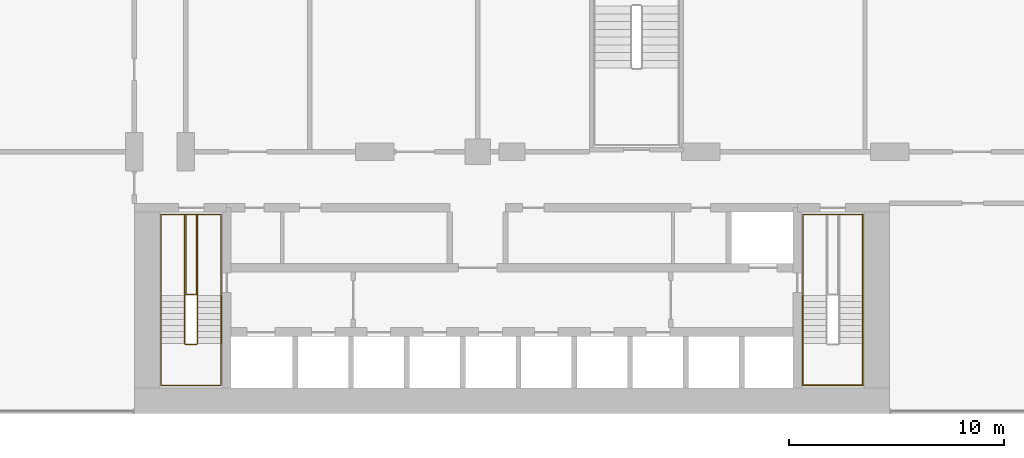
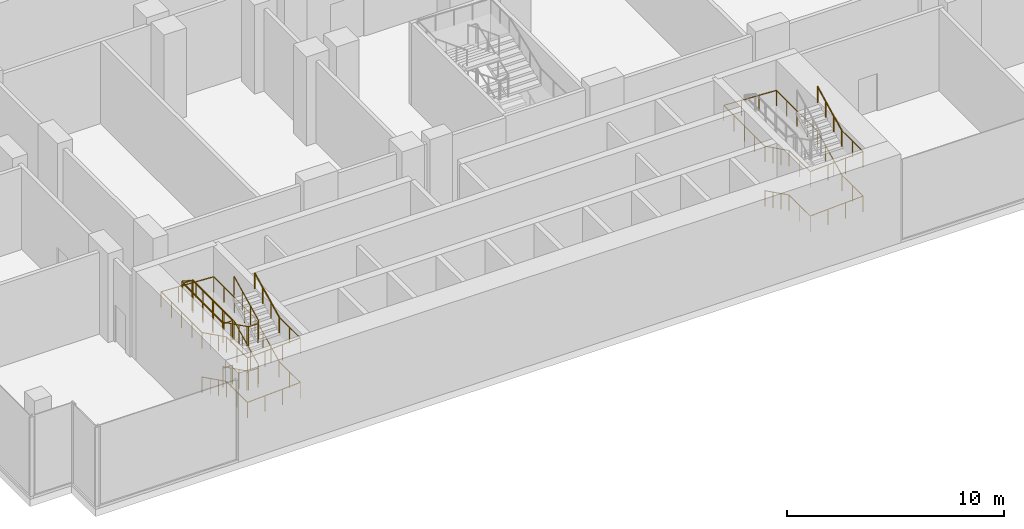
# One storey, part 25 of 30: 7 railings.
"""IFC4 building model written with IfcOpenShell, lengths in metres."""

from ifc_helpers import new_model, si_unit, direction, frame, origin, origin_2d, place, context, subcontext, project, spatial, circle, extrude, material, type_object, element, save


model = new_model("IFC4")

# Units and contexts
model_context = context("Model", 3, precision=1e-05, world=origin(), true_north=direction((0.0, 1.0)))
body_context = subcontext(model_context, "Body", "Model", "MODEL_VIEW")
ifc_project = project(units=[si_unit("LENGTHUNIT", "METRE"), si_unit("AREAUNIT", "SQUARE_METRE"), si_unit("VOLUMEUNIT", "CUBIC_METRE"), si_unit("PLANEANGLEUNIT", "RADIAN"), si_unit("MASSUNIT", "GRAM", prefix="KILO")], contexts=[model_context])

# Site, building, storey
site_placement = place(None, origin())
site = spatial("IfcSite", under=ifc_project, at=site_placement, CompositionType="ELEMENT")
building_placement = place(site_placement, origin())
building = spatial("IfcBuilding", under=site, at=building_placement, Name="Kemantara Hotel Tower", CompositionType="ELEMENT")
storey_placement = place(building_placement, frame((0.0, 0.0, 13.0)))
storey = spatial("IfcBuildingStorey", under=building, at=storey_placement, Name="L02", CompositionType="ELEMENT", Elevation=13.0)

# Railings
ifc_material = material(Name="Stainless steel balustrade", Category="steel")
railing_type_1 = type_object("IfcRailingType", Name="Stair guard 1100 mm", PredefinedType="GUARDRAIL", material=ifc_material)
railing_1_placement = place(storey_placement, frame((12.75, 5.5, 5.0)))
element("IfcRailing", 1, at=railing_1_placement, inside=storey, type_object=railing_type_1, Name="L02 ST1 stair guard 1", PredefinedType="GUARDRAIL", context=body_context, shape_type="SweptSolid", body=[
    extrude(circle(Radius=0.02392578125, at=origin_2d()), frame((0.0, 0.0, 1.076171875), z_axis=(0.0, -0.895848192791, -0.444360231651), x_axis=(1.0, 0.0, 0.0)), (0.0, 0.0, 1.0), 2.50048828125),
    extrude(circle(Radius=0.02392578125, at=origin_2d()), frame((0.0, -2.239990234375, -0.03515625), z_axis=(-0.321014310373, -0.321014310373, -0.891010451718), x_axis=(0.707106781187, -0.707106781187, 0.0)), (0.0, 0.0, 1.0), 0.156005859375),
    extrude(circle(Radius=0.02392578125, at=origin_2d()), frame((-0.050048828125, -2.2900390625, -0.173828125), z_axis=(-1.0, 0.0, 0.0), x_axis=(0.0, -1.0, 0.0)), (0.0, 0.0, 1.0), 0.5),
    extrude(circle(Radius=0.02392578125, at=origin_2d()), frame((-0.550048828125, -2.2900390625, -0.173828125), z_axis=(-0.707106781187, 0.707106781187, 0.0), x_axis=(-0.707106781187, -0.707106781187, 0.0)), (0.0, 0.0, 1.0), 0.07080078125),
    extrude(circle(Radius=0.02392578125, at=origin_2d()), frame((-0.60009765625, -2.239990234375, -0.173828125), z_axis=(0.0, 0.895848192791, -0.444360231651), x_axis=(-1.0, 0.0, 0.0)), (0.0, 0.0, 1.0), 2.50048828125),
    extrude(circle(Radius=0.02392578125, at=origin_2d()), frame((-0.60009765625, 0.0, -1.28515625), z_axis=(0.0, 1.0, 0.0), x_axis=(-1.0, 0.0, 0.0)), (0.0, 0.0, 1.0), 3.780029296875),
    extrude(circle(Radius=0.02392578125, at=origin_2d()), frame((-0.60009765625, 3.780029296875, -1.28515625), z_axis=(0.969557479204, 0.0, -0.244863828525), x_axis=(0.0, 1.0, 0.0)), (0.0, 0.0, 1.0), 0.5673828125),
    extrude(circle(Radius=0.02392578125, at=origin_2d()), frame((-0.050048828125, 3.780029296875, -1.423828125), z_axis=(0.0, -1.0, 0.0), x_axis=(1.0, 0.0, 0.0)), (0.0, 0.0, 1.0), 3.72998046875),
    extrude(circle(Radius=0.02392578125, at=origin_2d()), frame((-0.050048828125, 0.050048828125, -1.423828125), z_axis=(-1.0, 0.0, 0.0), x_axis=(0.0, -1.0, 0.0)), (0.0, 0.0, 1.0), 0.5),
    extrude(circle(Radius=0.02392578125, at=origin_2d()), frame((-0.550048828125, 0.050048828125, -1.423828125), z_axis=(0.0, 1.0, 0.0), x_axis=(-1.0, 0.0, 0.0)), (0.0, 0.0, 1.0), 3.72998046875),
    extrude(circle(Radius=0.02392578125, at=origin_2d()), frame((-0.550048828125, 3.780029296875, -1.423828125), z_axis=(1.0, 0.0, 0.0), x_axis=(0.0, 1.0, 0.0)), (0.0, 0.0, 1.0), 0.550048828125),
    extrude(circle(Radius=0.02392578125, at=origin_2d()), frame((0.0, 3.780029296875, -1.423828125), z_axis=(0.0, -1.0, 0.0), x_axis=(1.0, 0.0, 0.0)), (0.0, 0.0, 1.0), 3.780029296875),
    extrude(circle(Radius=0.02392578125, at=origin_2d()), frame((0.0, 0.0, -1.423828125), z_axis=(0.0, -0.895848192791, -0.444360231651), x_axis=(1.0, 0.0, 0.0)), (0.0, 0.0, 1.0), 2.50048828125),
    extrude(circle(Radius=0.02392578125, at=origin_2d()), frame((0.0, -2.239990234375, -2.53515625), z_axis=(-0.321014310373, -0.321014310373, -0.891010451718), x_axis=(0.707106781187, -0.707106781187, 0.0)), (0.0, 0.0, 1.0), 0.156005859375),
    extrude(circle(Radius=0.02392578125, at=origin_2d()), frame((-0.050048828125, -2.2900390625, -2.673828125), z_axis=(-1.0, 0.0, 0.0), x_axis=(0.0, -1.0, 0.0)), (0.0, 0.0, 1.0), 0.5),
    extrude(circle(Radius=0.02392578125, at=origin_2d()), frame((-0.550048828125, -2.2900390625, -2.673828125), z_axis=(-0.707106781187, 0.707106781187, 0.0), x_axis=(-0.707106781187, -0.707106781187, 0.0)), (0.0, 0.0, 1.0), 0.07080078125),
    extrude(circle(Radius=0.02392578125, at=origin_2d()), frame((-0.60009765625, -2.239990234375, -2.673828125), z_axis=(0.0, 0.895848192791, -0.444360231651), x_axis=(-1.0, 0.0, 0.0)), (0.0, 0.0, 1.0), 2.50048828125),
    extrude(circle(Radius=0.02392578125, at=origin_2d()), frame((-0.60009765625, 0.0, -3.78515625), z_axis=(0.321014310373, 0.321014310373, -0.891010451718), x_axis=(-0.707106781187, 0.707106781187, 0.0)), (0.0, 0.0, 1.0), 0.156005859375),
    extrude(circle(Radius=0.02392578125, at=origin_2d()), frame((-0.550048828125, 0.050048828125, -3.923828125), z_axis=(1.0, 0.0, 0.0), x_axis=(0.0, 1.0, 0.0)), (0.0, 0.0, 1.0), 0.5),
    extrude(circle(Radius=0.02099609375, at=origin_2d()), origin(), (0.0, 0.0, 1.0), 1.052001953125),
    extrude(circle(Radius=0.02099609375, at=origin_2d()), frame((0.0, -0.74658203125, -0.370361328125)), (0.0, 0.0, 1.0), 1.052001953125),
    extrude(circle(Radius=0.02099609375, at=origin_2d()), frame((0.0, -1.493408203125, -0.74072265625)), (0.0, 0.0, 1.0), 1.052001953125),
    extrude(circle(Radius=0.02099609375, at=origin_2d()), frame((0.0, -2.239990234375, -1.111083984375)), (0.0, 0.0, 1.0), 1.052001953125),
    extrude(circle(Radius=0.02099609375, at=origin_2d()), frame((-0.050048828125, -2.2900390625, -1.25)), (0.0, 0.0, 1.0), 1.052001953125),
    extrude(circle(Radius=0.02099609375, at=origin_2d()), frame((-0.550048828125, -2.2900390625, -1.25)), (0.0, 0.0, 1.0), 1.052001953125),
    extrude(circle(Radius=0.02099609375, at=origin_2d()), frame((-0.60009765625, -2.239990234375, -1.25)), (0.0, 0.0, 1.0), 1.052001953125),
    extrude(circle(Radius=0.02099609375, at=origin_2d()), frame((-0.60009765625, -1.493408203125, -1.620361328125)), (0.0, 0.0, 1.0), 1.052001953125),
    extrude(circle(Radius=0.02099609375, at=origin_2d()), frame((-0.60009765625, -0.74658203125, -1.99072265625)), (0.0, 0.0, 1.0), 1.052001953125),
    extrude(circle(Radius=0.02099609375, at=origin_2d()), frame((-0.60009765625, 0.0, -2.361083984375)), (0.0, 0.0, 1.0), 1.052001953125),
    extrude(circle(Radius=0.02099609375, at=origin_2d()), frame((-0.60009765625, 0.945068359375, -2.361083984375)), (0.0, 0.0, 1.0), 1.052001953125),
    extrude(circle(Radius=0.02099609375, at=origin_2d()), frame((-0.60009765625, 1.89013671875, -2.361083984375)), (0.0, 0.0, 1.0), 1.052001953125),
    extrude(circle(Radius=0.02099609375, at=origin_2d()), frame((-0.60009765625, 2.8349609375, -2.361083984375)), (0.0, 0.0, 1.0), 1.052001953125),
    extrude(circle(Radius=0.02099609375, at=origin_2d()), frame((-0.60009765625, 3.780029296875, -2.361083984375)), (0.0, 0.0, 1.0), 1.052001953125),
    extrude(circle(Radius=0.02099609375, at=origin_2d()), frame((-0.050048828125, 3.780029296875, -2.5)), (0.0, 0.0, 1.0), 1.052001953125),
    extrude(circle(Radius=0.02099609375, at=origin_2d()), frame((-0.050048828125, 2.84765625, -2.5)), (0.0, 0.0, 1.0), 1.052001953125),
    extrude(circle(Radius=0.02099609375, at=origin_2d()), frame((-0.050048828125, 1.9150390625, -2.5)), (0.0, 0.0, 1.0), 1.052001953125),
    extrude(circle(Radius=0.02099609375, at=origin_2d()), frame((-0.050048828125, 0.982421875, -2.5)), (0.0, 0.0, 1.0), 1.052001953125),
    extrude(circle(Radius=0.02099609375, at=origin_2d()), frame((-0.050048828125, 0.050048828125, -2.5)), (0.0, 0.0, 1.0), 1.052001953125),
    extrude(circle(Radius=0.02099609375, at=origin_2d()), frame((-0.550048828125, 0.050048828125, -2.5)), (0.0, 0.0, 1.0), 1.052001953125),
    extrude(circle(Radius=0.02099609375, at=origin_2d()), frame((-0.550048828125, 0.982421875, -2.5)), (0.0, 0.0, 1.0), 1.052001953125),
    extrude(circle(Radius=0.02099609375, at=origin_2d()), frame((-0.550048828125, 1.9150390625, -2.5)), (0.0, 0.0, 1.0), 1.052001953125),
    extrude(circle(Radius=0.02099609375, at=origin_2d()), frame((-0.550048828125, 2.84765625, -2.5)), (0.0, 0.0, 1.0), 1.052001953125),
    extrude(circle(Radius=0.02099609375, at=origin_2d()), frame((-0.550048828125, 3.780029296875, -2.5)), (0.0, 0.0, 1.0), 1.052001953125),
    extrude(circle(Radius=0.02099609375, at=origin_2d()), frame((0.0, 3.780029296875, -2.5)), (0.0, 0.0, 1.0), 1.052001953125),
    extrude(circle(Radius=0.02099609375, at=origin_2d()), frame((0.0, 2.8349609375, -2.5)), (0.0, 0.0, 1.0), 1.052001953125),
    extrude(circle(Radius=0.02099609375, at=origin_2d()), frame((0.0, 1.89013671875, -2.5)), (0.0, 0.0, 1.0), 1.052001953125),
    extrude(circle(Radius=0.02099609375, at=origin_2d()), frame((0.0, 0.945068359375, -2.5)), (0.0, 0.0, 1.0), 1.052001953125),
    extrude(circle(Radius=0.02099609375, at=origin_2d()), frame((0.0, 0.0, -2.5)), (0.0, 0.0, 1.0), 1.052001953125),
    extrude(circle(Radius=0.02099609375, at=origin_2d()), frame((0.0, -0.74658203125, -2.870361328125)), (0.0, 0.0, 1.0), 1.052001953125),
    extrude(circle(Radius=0.02099609375, at=origin_2d()), frame((0.0, -1.493408203125, -3.24072265625)), (0.0, 0.0, 1.0), 1.052001953125),
    extrude(circle(Radius=0.02099609375, at=origin_2d()), frame((0.0, -2.239990234375, -3.611083984375)), (0.0, 0.0, 1.0), 1.052001953125),
    extrude(circle(Radius=0.02099609375, at=origin_2d()), frame((-0.050048828125, -2.2900390625, -3.75)), (0.0, 0.0, 1.0), 1.052001953125),
    extrude(circle(Radius=0.02099609375, at=origin_2d()), frame((-0.550048828125, -2.2900390625, -3.75)), (0.0, 0.0, 1.0), 1.052001953125),
    extrude(circle(Radius=0.02099609375, at=origin_2d()), frame((-0.60009765625, -2.239990234375, -3.75)), (0.0, 0.0, 1.0), 1.052001953125),
    extrude(circle(Radius=0.02099609375, at=origin_2d()), frame((-0.60009765625, -1.493408203125, -4.120361328125)), (0.0, 0.0, 1.0), 1.052001953125),
    extrude(circle(Radius=0.02099609375, at=origin_2d()), frame((-0.60009765625, -0.74658203125, -4.49072265625)), (0.0, 0.0, 1.0), 1.052001953125),
    extrude(circle(Radius=0.02099609375, at=origin_2d()), frame((-0.60009765625, 0.0, -4.861083984375)), (0.0, 0.0, 1.0), 1.052001953125),
    extrude(circle(Radius=0.02099609375, at=origin_2d()), frame((-0.550048828125, 0.050048828125, -5.0)), (0.0, 0.0, 1.0), 1.052001953125),
    extrude(circle(Radius=0.02099609375, at=origin_2d()), frame((-0.050048828125, 0.050048828125, -5.0)), (0.0, 0.0, 1.0), 1.052001953125),
])
railing_type_2 = type_object("IfcRailingType", Name="Stair handrail 900 mm", PredefinedType="HANDRAIL", material=ifc_material)
railing_2_placement = place(storey_placement, frame((11.050048828125, 5.5, 0.138916015625)))
element("IfcRailing", 2, at=railing_2_placement, inside=storey, type_object=railing_type_2, Name="L02 ST1 stair handrail 1", PredefinedType="HANDRAIL", context=body_context, shape_type="SweptSolid", body=[
    extrude(circle(Radius=0.02392578125, at=origin_2d()), frame((0.0, 0.0, 0.8759765625), z_axis=(0.0, -0.895848192791, 0.444360231651), x_axis=(1.0, 0.0, 0.0)), (0.0, 0.0, 1.0), 2.50048828125),
    extrude(circle(Radius=0.02392578125, at=origin_2d()), frame((0.0, -2.239990234375, 1.98681640625), z_axis=(0.0, -1.0, 0.0), x_axis=(1.0, 0.0, 0.0)), (0.0, 0.0, 1.0), 1.93994140625),
    extrude(circle(Radius=0.02392578125, at=origin_2d()), frame((0.0, -4.179931640625, 1.98681640625), z_axis=(0.998771592041, 0.0, 0.049551053786), x_axis=(0.0, 1.0, 0.0)), (0.0, 0.0, 1.0), 2.803466796875),
    extrude(circle(Radius=0.02392578125, at=origin_2d()), frame((2.800048828125, -4.179931640625, 2.1259765625), z_axis=(0.0, 1.0, 0.0), x_axis=(-1.0, 0.0, 0.0)), (0.0, 0.0, 1.0), 1.93994140625),
    extrude(circle(Radius=0.02392578125, at=origin_2d()), frame((2.800048828125, -2.239990234375, 2.1259765625), z_axis=(0.0, 0.895848192791, 0.444360231651), x_axis=(-1.0, 0.0, 0.0)), (0.0, 0.0, 1.0), 2.50048828125),
    extrude(circle(Radius=0.02099609375, at=origin_2d()), origin(), (0.0, 0.0, 1.0), 0.851806640625),
    extrude(circle(Radius=0.02099609375, at=origin_2d()), frame((0.0, -0.74658203125, 0.370361328125)), (0.0, 0.0, 1.0), 0.851806640625),
    extrude(circle(Radius=0.02099609375, at=origin_2d()), frame((0.0, -1.493408203125, 0.74072265625)), (0.0, 0.0, 1.0), 0.851806640625),
    extrude(circle(Radius=0.02099609375, at=origin_2d()), frame((0.0, -2.239990234375, 1.111083984375)), (0.0, 0.0, 1.0), 0.851806640625),
    extrude(circle(Radius=0.02099609375, at=origin_2d()), frame((0.0, -3.2099609375, 1.111083984375)), (0.0, 0.0, 1.0), 0.851806640625),
    extrude(circle(Radius=0.02099609375, at=origin_2d()), frame((0.0, -4.179931640625, 1.111083984375)), (0.0, 0.0, 1.0), 0.851806640625),
    extrude(circle(Radius=0.02099609375, at=origin_2d()), frame((0.933349609375, -4.179931640625, 1.157470703125)), (0.0, 0.0, 1.0), 0.851806640625),
    extrude(circle(Radius=0.02099609375, at=origin_2d()), frame((1.86669921875, -4.179931640625, 1.20361328125)), (0.0, 0.0, 1.0), 0.851806640625),
    extrude(circle(Radius=0.02099609375, at=origin_2d()), frame((2.800048828125, -4.179931640625, 1.25)), (0.0, 0.0, 1.0), 0.851806640625),
    extrude(circle(Radius=0.02099609375, at=origin_2d()), frame((2.800048828125, -3.2099609375, 1.25)), (0.0, 0.0, 1.0), 0.851806640625),
    extrude(circle(Radius=0.02099609375, at=origin_2d()), frame((2.800048828125, -2.239990234375, 1.25)), (0.0, 0.0, 1.0), 0.851806640625),
    extrude(circle(Radius=0.02099609375, at=origin_2d()), frame((2.800048828125, -1.493408203125, 1.620361328125)), (0.0, 0.0, 1.0), 0.851806640625),
    extrude(circle(Radius=0.02099609375, at=origin_2d()), frame((2.800048828125, -0.74658203125, 1.99072265625)), (0.0, 0.0, 1.0), 0.851806640625),
    extrude(circle(Radius=0.02099609375, at=origin_2d()), frame((2.800048828125, 0.0, 2.361083984375)), (0.0, 0.0, 1.0), 0.851806640625),
])
railing_3_placement = place(storey_placement, frame((13.85009765625, 5.5, 2.5)))
element("IfcRailing", 3, at=railing_3_placement, inside=storey, type_object=railing_type_2, Name="L02 ST1 stair handrail 2", PredefinedType="HANDRAIL", context=body_context, shape_type="SweptSolid", body=[
    extrude(circle(Radius=0.02392578125, at=origin_2d()), frame((0.0, 0.0, 0.8759765625), z_axis=(0.0, 1.0, 0.0), x_axis=(-1.0, 0.0, 0.0)), (0.0, 0.0, 1.0), 3.780029296875),
    extrude(circle(Radius=0.02392578125, at=origin_2d()), frame((0.0, 3.780029296875, 0.8759765625), z_axis=(-0.998771592041, 0.0, 0.049551053786), x_axis=(0.0, -1.0, 0.0)), (0.0, 0.0, 1.0), 2.803466796875),
    extrude(circle(Radius=0.02392578125, at=origin_2d()), frame((-2.800048828125, 3.780029296875, 1.0146484375), z_axis=(0.0, -1.0, 0.0), x_axis=(1.0, 0.0, 0.0)), (0.0, 0.0, 1.0), 3.780029296875),
    extrude(circle(Radius=0.02392578125, at=origin_2d()), frame((-2.800048828125, 0.0, 1.0146484375), z_axis=(0.0, -0.895848192791, 0.444360231651), x_axis=(1.0, 0.0, 0.0)), (0.0, 0.0, 1.0), 2.50048828125),
    extrude(circle(Radius=0.02392578125, at=origin_2d()), frame((-2.800048828125, -2.239990234375, 2.1259765625), z_axis=(0.0, -1.0, 0.0), x_axis=(1.0, 0.0, 0.0)), (0.0, 0.0, 1.0), 1.93994140625),
    extrude(circle(Radius=0.02392578125, at=origin_2d()), frame((-2.800048828125, -4.179931640625, 2.1259765625), z_axis=(0.998771592041, 0.0, 0.049551053786), x_axis=(0.0, 1.0, 0.0)), (0.0, 0.0, 1.0), 2.803466796875),
    extrude(circle(Radius=0.02392578125, at=origin_2d()), frame((0.0, -4.179931640625, 2.2646484375), z_axis=(0.0, 1.0, 0.0), x_axis=(-1.0, 0.0, 0.0)), (0.0, 0.0, 1.0), 1.93994140625),
    extrude(circle(Radius=0.02099609375, at=origin_2d()), origin(), (0.0, 0.0, 1.0), 0.851806640625),
    extrude(circle(Radius=0.02099609375, at=origin_2d()), frame((0.0, 0.945068359375, 0.0)), (0.0, 0.0, 1.0), 0.851806640625),
    extrude(circle(Radius=0.02099609375, at=origin_2d()), frame((0.0, 1.89013671875, 0.0)), (0.0, 0.0, 1.0), 0.851806640625),
    extrude(circle(Radius=0.02099609375, at=origin_2d()), frame((0.0, 2.8349609375, 0.0)), (0.0, 0.0, 1.0), 0.851806640625),
    extrude(circle(Radius=0.02099609375, at=origin_2d()), frame((0.0, 3.780029296875, 0.0)), (0.0, 0.0, 1.0), 0.851806640625),
    extrude(circle(Radius=0.02099609375, at=origin_2d()), frame((-0.933349609375, 3.780029296875, 0.04638671875)), (0.0, 0.0, 1.0), 0.851806640625),
    extrude(circle(Radius=0.02099609375, at=origin_2d()), frame((-1.86669921875, 3.780029296875, 0.092529296875)), (0.0, 0.0, 1.0), 0.851806640625),
    extrude(circle(Radius=0.02099609375, at=origin_2d()), frame((-2.800048828125, 3.780029296875, 0.138916015625)), (0.0, 0.0, 1.0), 0.851806640625),
    extrude(circle(Radius=0.02099609375, at=origin_2d()), frame((-2.800048828125, 2.8349609375, 0.138916015625)), (0.0, 0.0, 1.0), 0.851806640625),
    extrude(circle(Radius=0.02099609375, at=origin_2d()), frame((-2.800048828125, 1.89013671875, 0.138916015625)), (0.0, 0.0, 1.0), 0.851806640625),
    extrude(circle(Radius=0.02099609375, at=origin_2d()), frame((-2.800048828125, 0.945068359375, 0.138916015625)), (0.0, 0.0, 1.0), 0.851806640625),
    extrude(circle(Radius=0.02099609375, at=origin_2d()), frame((-2.800048828125, 0.0, 0.138916015625)), (0.0, 0.0, 1.0), 0.851806640625),
    extrude(circle(Radius=0.02099609375, at=origin_2d()), frame((-2.800048828125, -0.74658203125, 0.50927734375)), (0.0, 0.0, 1.0), 0.851806640625),
    extrude(circle(Radius=0.02099609375, at=origin_2d()), frame((-2.800048828125, -1.493408203125, 0.879638671875)), (0.0, 0.0, 1.0), 0.851806640625),
    extrude(circle(Radius=0.02099609375, at=origin_2d()), frame((-2.800048828125, -2.239990234375, 1.25)), (0.0, 0.0, 1.0), 0.851806640625),
    extrude(circle(Radius=0.02099609375, at=origin_2d()), frame((-2.800048828125, -3.2099609375, 1.25)), (0.0, 0.0, 1.0), 0.851806640625),
    extrude(circle(Radius=0.02099609375, at=origin_2d()), frame((-2.800048828125, -4.179931640625, 1.25)), (0.0, 0.0, 1.0), 0.851806640625),
    extrude(circle(Radius=0.02099609375, at=origin_2d()), frame((-1.86669921875, -4.179931640625, 1.29638671875)), (0.0, 0.0, 1.0), 0.851806640625),
    extrude(circle(Radius=0.02099609375, at=origin_2d()), frame((-0.933349609375, -4.179931640625, 1.342529296875)), (0.0, 0.0, 1.0), 0.851806640625),
    extrude(circle(Radius=0.02099609375, at=origin_2d()), frame((0.0, -4.179931640625, 1.388916015625)), (0.0, 0.0, 1.0), 0.851806640625),
    extrude(circle(Radius=0.02099609375, at=origin_2d()), frame((0.0, -3.2099609375, 1.388916015625)), (0.0, 0.0, 1.0), 0.851806640625),
    extrude(circle(Radius=0.02099609375, at=origin_2d()), frame((0.0, -2.239990234375, 1.388916015625)), (0.0, 0.0, 1.0), 0.851806640625),
])
railing_4_placement = place(storey_placement, frame((13.85009765625, 3.260009765625, 3.888916015625)))
element("IfcRailing", 4, at=railing_4_placement, inside=storey, type_object=railing_type_2, Name="L02 ST1 stair handrail 3", PredefinedType="HANDRAIL", context=body_context, shape_type="SweptSolid", body=[
    extrude(circle(Radius=0.02392578125, at=origin_2d()), frame((0.0, 0.0, 0.8759765625), z_axis=(0.0, 0.895848192791, 0.444360231651), x_axis=(-1.0, 0.0, 0.0)), (0.0, 0.0, 1.0), 2.50048828125),
    extrude(circle(Radius=0.02099609375, at=origin_2d()), origin(), (0.0, 0.0, 1.0), 0.851806640625),
    extrude(circle(Radius=0.02099609375, at=origin_2d()), frame((0.0, 0.74658203125, 0.370361328125)), (0.0, 0.0, 1.0), 0.851806640625),
    extrude(circle(Radius=0.02099609375, at=origin_2d()), frame((0.0, 1.493408203125, 0.74072265625)), (0.0, 0.0, 1.0), 0.851806640625),
    extrude(circle(Radius=0.02099609375, at=origin_2d()), frame((0.0, 2.239990234375, 1.111083984375)), (0.0, 0.0, 1.0), 0.851806640625),
])
railing_5_placement = place(storey_placement, frame((40.949951171875, 5.5, 0.138916015625)))
element("IfcRailing", 5, at=railing_5_placement, inside=storey, type_object=railing_type_2, Name="L02 ST2 stair handrail 1", PredefinedType="HANDRAIL", context=body_context, shape_type="SweptSolid", body=[
    extrude(circle(Radius=0.02392578125, at=origin_2d()), frame((0.0, 0.0, 0.8759765625), z_axis=(0.0, -0.895848192791, 0.444360231651), x_axis=(1.0, 0.0, 0.0)), (0.0, 0.0, 1.0), 2.50048828125),
    extrude(circle(Radius=0.02392578125, at=origin_2d()), frame((0.0, -2.239990234375, 1.98681640625), z_axis=(0.0, -1.0, 0.0), x_axis=(1.0, 0.0, 0.0)), (0.0, 0.0, 1.0), 1.93994140625),
    extrude(circle(Radius=0.02392578125, at=origin_2d()), frame((0.0, -4.179931640625, 1.98681640625), z_axis=(0.998771592041, 0.0, 0.049551053786), x_axis=(0.0, 1.0, 0.0)), (0.0, 0.0, 1.0), 2.803466796875),
    extrude(circle(Radius=0.02392578125, at=origin_2d()), frame((2.800048828125, -4.179931640625, 2.1259765625), z_axis=(0.0, 1.0, 0.0), x_axis=(-1.0, 0.0, 0.0)), (0.0, 0.0, 1.0), 1.93994140625),
    extrude(circle(Radius=0.02392578125, at=origin_2d()), frame((2.800048828125, -2.239990234375, 2.1259765625), z_axis=(0.0, 0.895848192791, 0.444360231651), x_axis=(-1.0, 0.0, 0.0)), (0.0, 0.0, 1.0), 2.50048828125),
    extrude(circle(Radius=0.02392578125, at=origin_2d()), frame((2.800048828125, 0.0, 3.23681640625), z_axis=(0.0, 1.0, 0.0), x_axis=(-1.0, 0.0, 0.0)), (0.0, 0.0, 1.0), 3.780029296875),
    extrude(circle(Radius=0.02099609375, at=origin_2d()), origin(), (0.0, 0.0, 1.0), 0.851806640625),
    extrude(circle(Radius=0.02099609375, at=origin_2d()), frame((0.0, -0.74658203125, 0.370361328125)), (0.0, 0.0, 1.0), 0.851806640625),
    extrude(circle(Radius=0.02099609375, at=origin_2d()), frame((0.0, -1.493408203125, 0.74072265625)), (0.0, 0.0, 1.0), 0.851806640625),
    extrude(circle(Radius=0.02099609375, at=origin_2d()), frame((0.0, -2.239990234375, 1.111083984375)), (0.0, 0.0, 1.0), 0.851806640625),
    extrude(circle(Radius=0.02099609375, at=origin_2d()), frame((0.0, -3.2099609375, 1.111083984375)), (0.0, 0.0, 1.0), 0.851806640625),
    extrude(circle(Radius=0.02099609375, at=origin_2d()), frame((0.0, -4.179931640625, 1.111083984375)), (0.0, 0.0, 1.0), 0.851806640625),
    extrude(circle(Radius=0.02099609375, at=origin_2d()), frame((0.933349609375, -4.179931640625, 1.157470703125)), (0.0, 0.0, 1.0), 0.851806640625),
    extrude(circle(Radius=0.02099609375, at=origin_2d()), frame((1.86669921875, -4.179931640625, 1.20361328125)), (0.0, 0.0, 1.0), 0.851806640625),
    extrude(circle(Radius=0.02099609375, at=origin_2d()), frame((2.800048828125, -4.179931640625, 1.25)), (0.0, 0.0, 1.0), 0.851806640625),
    extrude(circle(Radius=0.02099609375, at=origin_2d()), frame((2.800048828125, -3.2099609375, 1.25)), (0.0, 0.0, 1.0), 0.851806640625),
    extrude(circle(Radius=0.02099609375, at=origin_2d()), frame((2.800048828125, -2.239990234375, 1.25)), (0.0, 0.0, 1.0), 0.851806640625),
    extrude(circle(Radius=0.02099609375, at=origin_2d()), frame((2.800048828125, -1.493408203125, 1.620361328125)), (0.0, 0.0, 1.0), 0.851806640625),
    extrude(circle(Radius=0.02099609375, at=origin_2d()), frame((2.800048828125, -0.74658203125, 1.99072265625)), (0.0, 0.0, 1.0), 0.851806640625),
    extrude(circle(Radius=0.02099609375, at=origin_2d()), frame((2.800048828125, 0.0, 2.361083984375)), (0.0, 0.0, 1.0), 0.851806640625),
    extrude(circle(Radius=0.02099609375, at=origin_2d()), frame((2.800048828125, 0.945068359375, 2.361083984375)), (0.0, 0.0, 1.0), 0.851806640625),
    extrude(circle(Radius=0.02099609375, at=origin_2d()), frame((2.800048828125, 1.89013671875, 2.361083984375)), (0.0, 0.0, 1.0), 0.851806640625),
    extrude(circle(Radius=0.02099609375, at=origin_2d()), frame((2.800048828125, 2.8349609375, 2.361083984375)), (0.0, 0.0, 1.0), 0.851806640625),
    extrude(circle(Radius=0.02099609375, at=origin_2d()), frame((2.800048828125, 3.780029296875, 2.361083984375)), (0.0, 0.0, 1.0), 0.851806640625),
])
railing_6_placement = place(storey_placement, frame((43.75, 9.280029296875, 2.5)))
element("IfcRailing", 6, at=railing_6_placement, inside=storey, type_object=railing_type_2, Name="L02 ST2 stair handrail 2", PredefinedType="HANDRAIL", context=body_context, shape_type="SweptSolid", body=[
    extrude(circle(Radius=0.02392578125, at=origin_2d()), frame((0.0, 0.0, 0.8759765625), z_axis=(-0.998771592041, 0.0, 0.049551053786), x_axis=(0.0, -1.0, 0.0)), (0.0, 0.0, 1.0), 2.803466796875),
    extrude(circle(Radius=0.02392578125, at=origin_2d()), frame((-2.800048828125, 0.0, 1.0146484375), z_axis=(0.0, -1.0, 0.0), x_axis=(1.0, 0.0, 0.0)), (0.0, 0.0, 1.0), 3.780029296875),
    extrude(circle(Radius=0.02392578125, at=origin_2d()), frame((-2.800048828125, -3.780029296875, 1.0146484375), z_axis=(0.0, -0.895848192791, 0.444360231651), x_axis=(1.0, 0.0, 0.0)), (0.0, 0.0, 1.0), 2.50048828125),
    extrude(circle(Radius=0.02392578125, at=origin_2d()), frame((-2.800048828125, -6.02001953125, 2.1259765625), z_axis=(0.0, -1.0, 0.0), x_axis=(1.0, 0.0, 0.0)), (0.0, 0.0, 1.0), 1.93994140625),
    extrude(circle(Radius=0.02392578125, at=origin_2d()), frame((-2.800048828125, -7.9599609375, 2.1259765625), z_axis=(0.998771592041, 0.0, 0.049551053786), x_axis=(0.0, 1.0, 0.0)), (0.0, 0.0, 1.0), 2.803466796875),
    extrude(circle(Radius=0.02392578125, at=origin_2d()), frame((0.0, -7.9599609375, 2.2646484375), z_axis=(0.0, 1.0, 0.0), x_axis=(-1.0, 0.0, 0.0)), (0.0, 0.0, 1.0), 1.93994140625),
    extrude(circle(Radius=0.02099609375, at=origin_2d()), origin(), (0.0, 0.0, 1.0), 0.851806640625),
    extrude(circle(Radius=0.02099609375, at=origin_2d()), frame((-0.933349609375, 0.0, 0.04638671875)), (0.0, 0.0, 1.0), 0.851806640625),
    extrude(circle(Radius=0.02099609375, at=origin_2d()), frame((-1.86669921875, 0.0, 0.092529296875)), (0.0, 0.0, 1.0), 0.851806640625),
    extrude(circle(Radius=0.02099609375, at=origin_2d()), frame((-2.800048828125, 0.0, 0.138916015625)), (0.0, 0.0, 1.0), 0.851806640625),
    extrude(circle(Radius=0.02099609375, at=origin_2d()), frame((-2.800048828125, -0.945068359375, 0.138916015625)), (0.0, 0.0, 1.0), 0.851806640625),
    extrude(circle(Radius=0.02099609375, at=origin_2d()), frame((-2.800048828125, -1.89013671875, 0.138916015625)), (0.0, 0.0, 1.0), 0.851806640625),
    extrude(circle(Radius=0.02099609375, at=origin_2d()), frame((-2.800048828125, -2.8349609375, 0.138916015625)), (0.0, 0.0, 1.0), 0.851806640625),
    extrude(circle(Radius=0.02099609375, at=origin_2d()), frame((-2.800048828125, -3.780029296875, 0.138916015625)), (0.0, 0.0, 1.0), 0.851806640625),
    extrude(circle(Radius=0.02099609375, at=origin_2d()), frame((-2.800048828125, -4.526611328125, 0.50927734375)), (0.0, 0.0, 1.0), 0.851806640625),
    extrude(circle(Radius=0.02099609375, at=origin_2d()), frame((-2.800048828125, -5.2734375, 0.879638671875)), (0.0, 0.0, 1.0), 0.851806640625),
    extrude(circle(Radius=0.02099609375, at=origin_2d()), frame((-2.800048828125, -6.02001953125, 1.25)), (0.0, 0.0, 1.0), 0.851806640625),
    extrude(circle(Radius=0.02099609375, at=origin_2d()), frame((-2.800048828125, -6.989990234375, 1.25)), (0.0, 0.0, 1.0), 0.851806640625),
    extrude(circle(Radius=0.02099609375, at=origin_2d()), frame((-2.800048828125, -7.9599609375, 1.25)), (0.0, 0.0, 1.0), 0.851806640625),
    extrude(circle(Radius=0.02099609375, at=origin_2d()), frame((-1.86669921875, -7.9599609375, 1.29638671875)), (0.0, 0.0, 1.0), 0.851806640625),
    extrude(circle(Radius=0.02099609375, at=origin_2d()), frame((-0.933349609375, -7.9599609375, 1.342529296875)), (0.0, 0.0, 1.0), 0.851806640625),
    extrude(circle(Radius=0.02099609375, at=origin_2d()), frame((0.0, -7.9599609375, 1.388916015625)), (0.0, 0.0, 1.0), 0.851806640625),
    extrude(circle(Radius=0.02099609375, at=origin_2d()), frame((0.0, -6.989990234375, 1.388916015625)), (0.0, 0.0, 1.0), 0.851806640625),
    extrude(circle(Radius=0.02099609375, at=origin_2d()), frame((0.0, -6.02001953125, 1.388916015625)), (0.0, 0.0, 1.0), 0.851806640625),
])
railing_7_placement = place(storey_placement, frame((43.75, 3.260009765625, 3.888916015625)))
element("IfcRailing", 7, at=railing_7_placement, inside=storey, type_object=railing_type_2, Name="L02 ST2 stair handrail 3", PredefinedType="HANDRAIL", context=body_context, shape_type="SweptSolid", body=[
    extrude(circle(Radius=0.02392578125, at=origin_2d()), frame((0.0, 0.0, 0.8759765625), z_axis=(0.0, 0.895848192791, 0.444360231651), x_axis=(-1.0, 0.0, 0.0)), (0.0, 0.0, 1.0), 2.50048828125),
    extrude(circle(Radius=0.02099609375, at=origin_2d()), origin(), (0.0, 0.0, 1.0), 0.851806640625),
    extrude(circle(Radius=0.02099609375, at=origin_2d()), frame((0.0, 0.74658203125, 0.370361328125)), (0.0, 0.0, 1.0), 0.851806640625),
    extrude(circle(Radius=0.02099609375, at=origin_2d()), frame((0.0, 1.493408203125, 0.74072265625)), (0.0, 0.0, 1.0), 0.851806640625),
    extrude(circle(Radius=0.02099609375, at=origin_2d()), frame((0.0, 2.239990234375, 1.111083984375)), (0.0, 0.0, 1.0), 0.851806640625),
])

save(model, "model.ifc")
